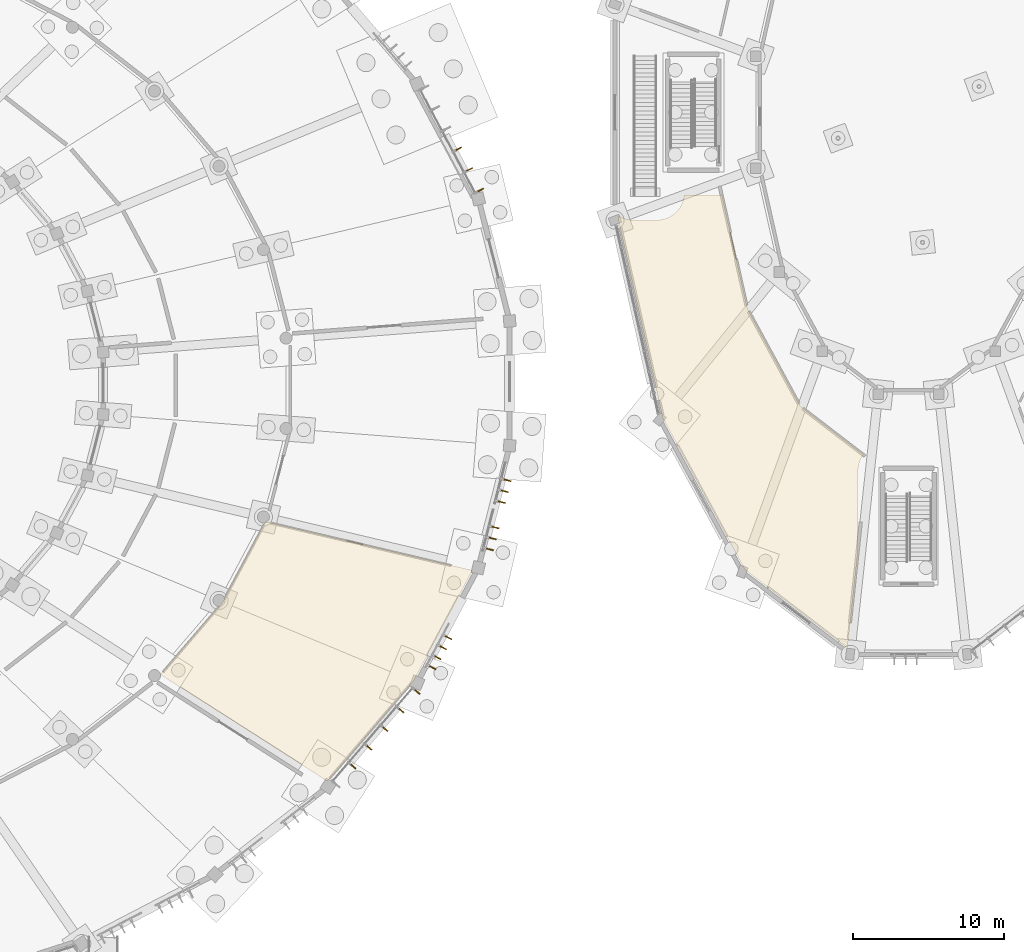
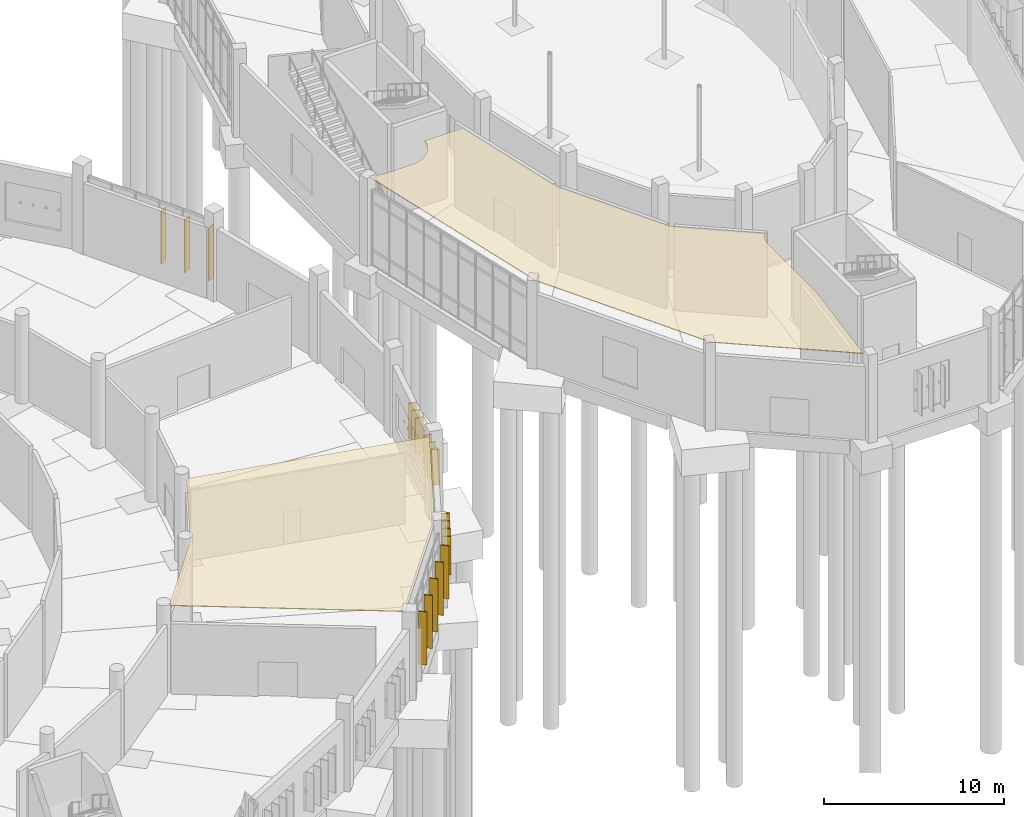
# One storey, part 123 of 140: 18 shading devices, 2 coverings.
"""IFC4 building model written with IfcOpenShell, lengths in metres."""

from ifc_helpers import new_model, si_unit, direction, frame, origin, origin_2d, place, context, subcontext, project, spatial, polyline, rectangle, outline, extrude, material, layer, layer_set, type_object, element, save


model = new_model("IFC4")

# Units and contexts
model_context = context("Model", 3, precision=1e-05, world=origin(), true_north=direction((0.0, 1.0)))
body_context = subcontext(model_context, "Body", "Model", "MODEL_VIEW")
ifc_project = project(units=[si_unit("LENGTHUNIT", "METRE"), si_unit("AREAUNIT", "SQUARE_METRE"), si_unit("VOLUMEUNIT", "CUBIC_METRE"), si_unit("PLANEANGLEUNIT", "RADIAN"), si_unit("MASSUNIT", "GRAM", prefix="KILO")], contexts=[model_context])

# Site, building, storey
site_placement = place(None, origin())
site = spatial("IfcSite", under=ifc_project, at=site_placement, CompositionType="ELEMENT")
building_placement = place(site_placement, origin())
building = spatial("IfcBuilding", under=site, at=building_placement, Name="Corvandel Quay Wholesale Market", CompositionType="ELEMENT")
storey_placement = place(building_placement, origin())
storey = spatial("IfcBuildingStorey", under=building, at=storey_placement, Name="L00", CompositionType="ELEMENT", Elevation=0.0)

# Coverings
ifc_material_1 = material(Name="Perforated powder-coated aluminium acoustic panel", Category="aluminium")
ifc_layer = layer(ifc_material_1, 0.044921875)
ifc_layer_set = layer_set([ifc_layer], Name="Perforated powder-coated aluminium acoustic panel")
covering_type = type_object("IfcCoveringType", Name="Perforated Acoustic Baffle Ceiling CLG01", PredefinedType="CEILING", material=ifc_layer_set)
covering_1_placement = place(storey_placement, frame((0.0, 0.0, 5.530029296875)))
element("IfcCovering", 1, at=covering_1_placement, inside=storey, type_object=covering_type, Name="Suspended Ceiling CLG-001", PredefinedType="CEILING", context=body_context, shape_type="SweptSolid", body=[
    extrude(outline(polyline([(144.821044921875, 22.635009765625), (144.819091796875, 22.636962890625), (144.818115234375, 22.637939453125), (144.81591796875, 22.639892578125), (144.81494140625, 22.64111328125), (144.81494140625, 22.64306640625), (144.81396484375, 22.64501953125), (144.81298828125, 22.64697265625), (144.81298828125, 22.64892578125), (144.81298828125, 22.65087890625), (144.81298828125, 22.653076171875), (144.81298828125, 22.655029296875), (144.81396484375, 22.656982421875), (144.81494140625, 22.658935546875), (144.81591796875, 22.660888671875), (144.81689453125, 22.662109375), (144.818115234375, 22.6640625), (148.906005859375, 27.427001953125), (151.77294921875, 32.804931640625), (151.77392578125, 32.806884765625), (151.77587890625, 32.80908203125), (151.777099609375, 32.81005859375), (151.778076171875, 32.81201171875), (151.780029296875, 32.81298828125), (151.781982421875, 32.81396484375), (151.783935546875, 32.81494140625), (151.785888671875, 32.81494140625), (151.7880859375, 32.81591796875), (151.7900390625, 32.81591796875), (151.7919921875, 32.81591796875), (151.7939453125, 32.81591796875), (151.7958984375, 32.81494140625), (165.511962890625, 29.5791015625), (165.512939453125, 29.5791015625), (165.514892578125, 29.577880859375), (165.51708984375, 29.576904296875), (165.51904296875, 29.575927734375), (165.52001953125, 29.574951171875), (165.52099609375, 29.573974609375), (165.52294921875, 29.572021484375), (165.52392578125, 29.571044921875), (165.52490234375, 29.569091796875), (165.52587890625, 29.56689453125), (165.52587890625, 29.56591796875), (165.527099609375, 29.56396484375), (165.527099609375, 29.56201171875), (165.527099609375, 29.56005859375), (165.527099609375, 29.55810546875), (165.527099609375, 29.555908203125), (165.52587890625, 29.553955078125), (165.52490234375, 29.552001953125), (165.52490234375, 29.551025390625), (161.638916015625, 22.256103515625), (161.637939453125, 22.25390625), (161.635986328125, 22.251953125), (155.906005859375, 15.5810546875), (155.905029296875, 15.580078125), (155.903076171875, 15.577880859375), (155.902099609375, 15.576904296875), (155.89990234375, 15.575927734375), (155.89892578125, 15.574951171875), (155.89697265625, 15.574951171875), (155.89501953125, 15.573974609375), (155.89306640625, 15.573974609375), (155.89111328125, 15.573974609375), (155.888916015625, 15.573974609375), (155.886962890625, 15.573974609375), (155.885009765625, 15.574951171875), (155.884033203125, 15.574951171875), (155.882080078125, 15.575927734375), (155.8798828125, 15.576904296875), (144.822021484375, 22.634033203125), (144.821044921875, 22.635009765625)])), origin(), (0.0, 0.0, 1.0), 0.044921875),
])
covering_2_placement = place(storey_placement, frame((0.0, 0.0, 5.590087890625)))
element("IfcCovering", 2, at=covering_2_placement, inside=storey, type_object=covering_type, Name="Suspended Ceiling CLG-014", PredefinedType="CEILING", context=body_context, shape_type="SweptSolid", body=[
    extrude(outline(polyline([(183.626953125, 29.625), (183.6259765625, 29.626953125), (183.625, 29.62890625), (183.623046875, 29.6298828125), (178.177978515625, 39.68310546875), (178.177978515625, 39.68505859375), (178.177001953125, 39.68701171875), (178.176025390625, 39.68896484375), (175.219970703125, 52.862060546875), (175.219970703125, 52.864013671875), (175.219970703125, 52.865966796875), (175.219970703125, 53.14111328125), (175.35107421875, 53.06298828125), (175.510986328125, 52.987060546875), (175.677001953125, 52.927978515625), (175.84912109375, 52.885009765625), (176.02392578125, 52.85888671875), (176.199951171875, 52.85009765625), (177.800048828125, 52.85009765625), (177.97607421875, 52.85888671875), (178.15087890625, 52.885009765625), (178.322998046875, 52.927978515625), (178.489013671875, 52.987060546875), (178.64892578125, 53.06298828125), (178.800048828125, 53.153076171875), (178.94189453125, 53.259033203125), (179.072998046875, 53.376953125), (179.19091796875, 53.508056640625), (179.297119140625, 53.64990234375), (179.386962890625, 53.801025390625), (179.462890625, 53.9609375), (179.52197265625, 54.126953125), (179.56494140625, 54.299072265625), (179.591064453125, 54.47412109375), (179.593017578125, 54.5), (181.75, 54.5), (181.926025390625, 54.509033203125), (182.095947265625, 54.533935546875), (183.791015625, 46.97705078125), (187.31494140625, 40.47412109375), (191.501953125, 37.264892578125), (191.452880859375, 37.199951171875), (191.363037109375, 37.049072265625), (191.287109375, 36.888916015625), (191.22802734375, 36.722900390625), (191.18505859375, 36.551025390625), (191.158935546875, 36.3759765625), (191.14990234375, 36.199951171875), (191.14990234375, 30.962890625), (190.447998046875, 24.447998046875), (190.447998046875, 24.446044921875), (190.447021484375, 24.444091796875), (190.446044921875, 24.44189453125), (190.446044921875, 24.44091796875), (190.445068359375, 24.43896484375), (190.443115234375, 24.43701171875), (190.44189453125, 24.43603515625), (190.44091796875, 24.43505859375), (190.43896484375, 24.43310546875), (190.43798828125, 24.431884765625), (190.43603515625, 24.431884765625), (190.43408203125, 24.430908203125), (190.431884765625, 24.429931640625), (190.429931640625, 24.429931640625), (190.427978515625, 24.429931640625), (190.426025390625, 24.429931640625), (190.425048828125, 24.429931640625), (190.423095703125, 24.430908203125), (190.4208984375, 24.430908203125), (190.4189453125, 24.431884765625), (190.4169921875, 24.43310546875), (190.416015625, 24.43408203125), (183.62890625, 29.6240234375), (183.626953125, 29.625)])), origin(), (0.0, 0.0, 1.0), 0.044921875),
])

# Shading devices
ifc_material_2 = material(Name="Bronze anodised extruded aluminium 6063-T6", Category="aluminium")
shading_device_type = type_object("IfcShadingDeviceType", Name="Vertical Anodised Bronze Solar Fin FN01 480mm", PredefinedType="JALOUSIE", material=ifc_material_2)
for number, where, z_axis, x_axis, name in (
    (3, (166.048828125, 54.826904296875, 0.77490234375), (0.0, 0.0, 1.0), (0.882619624736, 0.470087862033, 0.0), "Solar Fin 0001"),
    (4, (165.3193359375, 56.196533203125, 0.77490234375), (0.0, 0.0, 1.0), (0.882619624736, 0.470087862033, 0.0), "Solar Fin 0002"),
    (5, (164.589599609375, 57.56640625, 0.77490234375), (0.0, 0.0, 1.0), (0.882619624736, 0.470087862033, 0.0), "Solar Fin 0003"),
    (6, (157.591064453125, 16.56005859375, 0.77490234375), (0.0, 0.0, 1.0), (-0.758589401976, 0.651568967347, 0.0), "Solar Fin 0218"),
    (7, (158.655517578125, 17.79931640625, 0.77490234375), (0.0, 0.0, 1.0), (-0.758589401976, 0.651568967347, 0.0), "Solar Fin 0219"),
    (8, (159.719970703125, 19.03857421875, 0.77490234375), (0.0, 0.0, 1.0), (-0.758589401976, 0.651568967347, 0.0), "Solar Fin 0220"),
    (9, (160.784423828125, 20.27783203125, 0.77490234375), (0.0, 0.0, 1.0), (-0.758589401976, 0.651568967347, 0.0), "Solar Fin 0221"),
    (10, (161.84912109375, 21.51708984375, 0.77490234375), (0.0, 0.0, 1.0), (-0.758589401976, 0.651568967347, 0.0), "Solar Fin 0222"),
):
    element("IfcShadingDevice", number, at=place(storey_placement, frame(where, z_axis=z_axis, x_axis=x_axis)), inside=storey, type_object=shading_device_type, Name=name, PredefinedType="JALOUSIE", context=body_context, shape_type="SweptSolid", body=[
        extrude(rectangle(XDim=0.47998046875, YDim=0.06494140625, at=origin_2d()), origin(), (0.0, 0.0, 1.0), 3.60009765625),
    ])
for number, where, z_axis, x_axis, name in (
    (11, (162.886474609375, 23.1083984375, 1.050048828125), (0.0, 0.0, 1.0), (-0.882619624736, 0.470087862033, 0.0), "Solar Fin 0230"),
    (12, (163.239013671875, 23.770263671875, 1.050048828125), (0.0, 0.0, 1.0), (-0.882619624736, 0.470087862033, 0.0), "Solar Fin 0231"),
    (13, (163.591552734375, 24.43212890625, 1.050048828125), (0.0, 0.0, 1.0), (-0.882619624736, 0.470087862033, 0.0), "Solar Fin 0232"),
    (14, (163.944091796875, 25.09423828125, 1.050048828125), (0.0, 0.0, 1.0), (-0.882619624736, 0.470087862033, 0.0), "Solar Fin 0233"),
):
    element("IfcShadingDevice", number, at=place(storey_placement, frame(where, z_axis=z_axis, x_axis=x_axis)), inside=storey, type_object=shading_device_type, Name=name, PredefinedType="JALOUSIE", context=body_context, shape_type="SweptSolid", body=[
        extrude(rectangle(XDim=0.47998046875, YDim=0.06494140625, at=origin_2d()), origin(), (0.0, 0.0, 1.0), 2.60009765625),
    ])
for number, where, z_axis, x_axis, name in (
    (15, (166.690673828125, 30.96728515625, 1.050048828125), (0.0, 0.0, 1.0), (-0.968843057437, 0.247675453076, 0.0), "Solar Fin 0240"),
    (16, (166.87646484375, 31.69384765625, 1.050048828125), (0.0, 0.0, 1.0), (-0.968843057437, 0.247675453076, 0.0), "Solar Fin 0241"),
    (17, (167.0625, 32.42041015625, 1.050048828125), (0.0, 0.0, 1.0), (-0.968843057437, 0.247675453076, 0.0), "Solar Fin 0242"),
    (18, (167.4921875, 34.101318359375, 1.050048828125), (0.0, 0.0, 1.0), (-0.968843057437, 0.247675453076, 0.0), "Solar Fin 0243"),
    (19, (167.677978515625, 34.827880859375, 1.050048828125), (0.0, 0.0, 1.0), (-0.968843057437, 0.247675453076, 0.0), "Solar Fin 0244"),
    (20, (167.86376953125, 35.5546875, 1.050048828125), (0.0, 0.0, 1.0), (-0.968843057437, 0.247675453076, 0.0), "Solar Fin 0245"),
):
    element("IfcShadingDevice", number, at=place(storey_placement, frame(where, z_axis=z_axis, x_axis=x_axis)), inside=storey, type_object=shading_device_type, Name=name, PredefinedType="JALOUSIE", context=body_context, shape_type="SweptSolid", body=[
        extrude(rectangle(XDim=0.47998046875, YDim=0.06494140625, at=origin_2d()), origin(), (0.0, 0.0, 1.0), 2.39990234375),
    ])

save(model, "model.ifc")
